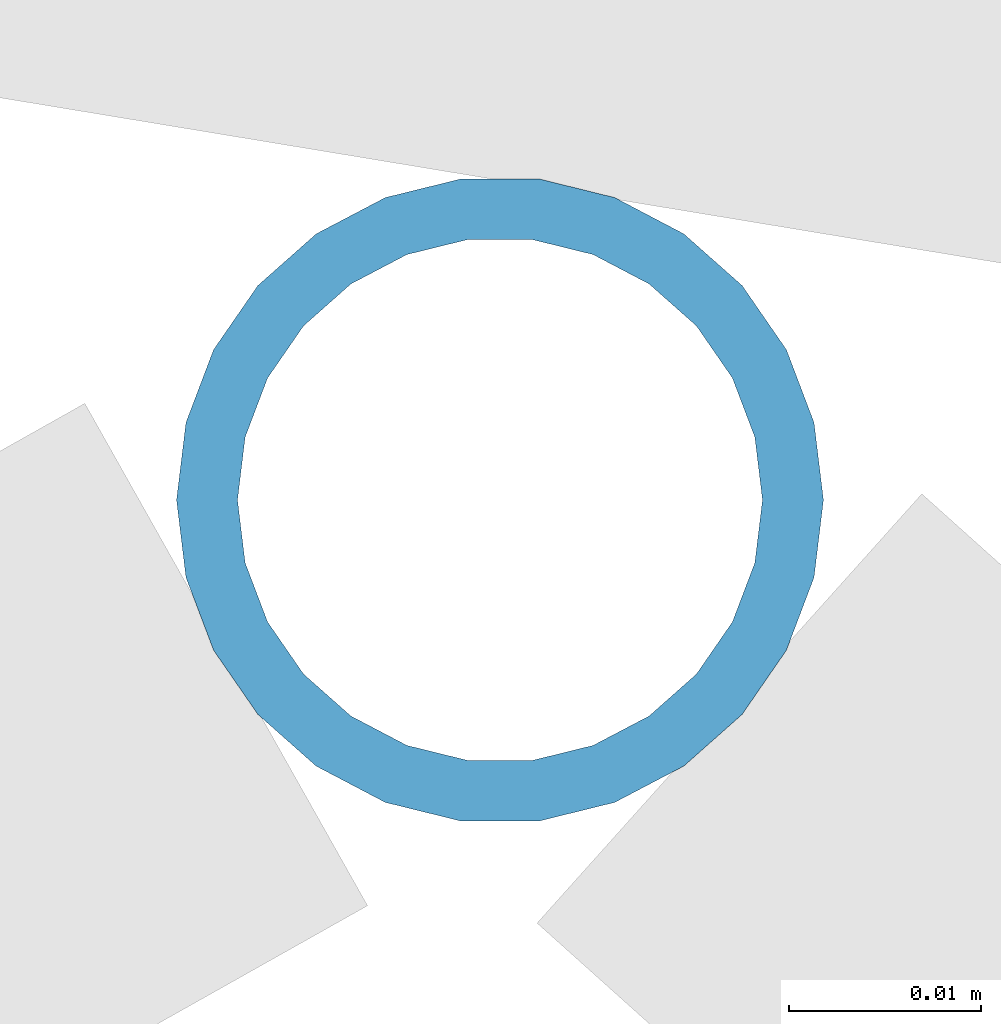
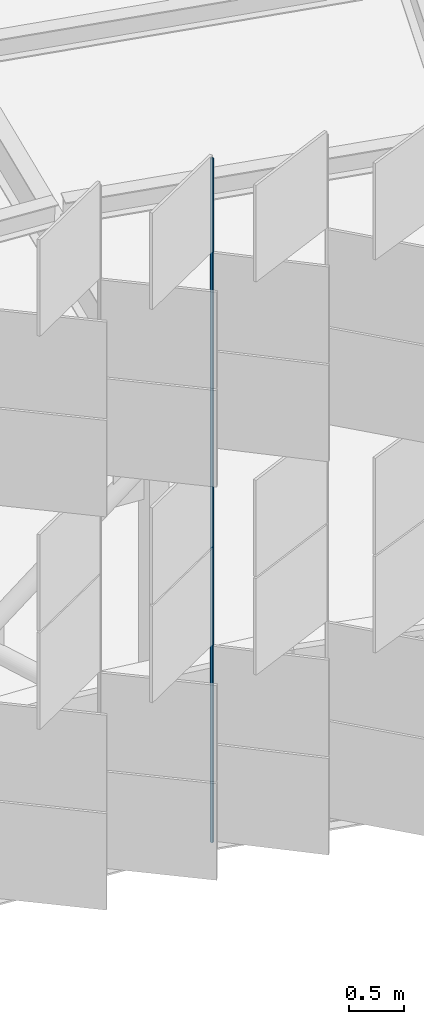
# One storey, part 243 of 483: 1 discrete accessory.
"""IFC4 building model written with IfcOpenShell, lengths in metres."""

from ifc_helpers import new_model, si_unit, direction, frame, origin, origin_2d, place, context, subcontext, project, spatial, hollow_circle, extrude, material, material_profile, profile_set, type_object, element, save


model = new_model("IFC4")

# Units and contexts
model_context = context("Model", 3, precision=1e-05, world=origin(), true_north=direction((0.0, 1.0)))
body_context = subcontext(model_context, "Body", "Model", "MODEL_VIEW")
ifc_project = project(units=[si_unit("LENGTHUNIT", "METRE"), si_unit("AREAUNIT", "SQUARE_METRE"), si_unit("VOLUMEUNIT", "CUBIC_METRE"), si_unit("PLANEANGLEUNIT", "RADIAN"), si_unit("MASSUNIT", "GRAM", prefix="KILO")], contexts=[model_context])

# Site, building, storey
site_placement = place(None, origin())
site = spatial("IfcSite", under=ifc_project, at=site_placement, CompositionType="ELEMENT")
building_placement = place(site_placement, origin())
building = spatial("IfcBuilding", under=site, at=building_placement, Name="Parallax Yard Mobility Hub", CompositionType="ELEMENT")
storey_placement = place(building_placement, frame((0.0, 0.0, 13.199951171875)))
storey = spatial("IfcBuildingStorey", under=building, at=storey_placement, Name="L04", CompositionType="ELEMENT", Elevation=13.199951171875)

# Discrete accessory
ifc_material = material(Name="Steel ASTM A500 Gr C, hot-dip galvanised", Category="steel")
ifc_material_profile = material_profile(ifc_material, hollow_circle(Radius=0.016845703125, WallThickness=0.003173828125, at=origin_2d()), Name="CHS 33.7x3.2")
ifc_profile_set = profile_set([ifc_material_profile], Name="Steel ASTM A500 Gr C, hot-dip galvanised")
discrete_accessory_type = type_object("IfcDiscreteAccessoryType", Name="Hinge post CHS 33.7x3.2", PredefinedType="BRACKET", material=ifc_profile_set)
discrete_accessory_placement = place(storey_placement, frame((175.8544921875, 111.22509765625, 0.0), z_axis=(0.0, 0.0, 1.0), x_axis=(1.0, 0.0, 0.0)))
element("IfcDiscreteAccessory", 1, at=discrete_accessory_placement, inside=storey, type_object=discrete_accessory_type, Name="Hinge post bay 18.4 level L04", PredefinedType="BRACKET", context=body_context, shape_type="SweptSolid", body=[
    extrude(hollow_circle(Radius=0.016845703125, WallThickness=0.003173828125, at=origin_2d()), origin(), (0.0, 0.0, 1.0), 7.650146484375),
])

save(model, "model.ifc")
